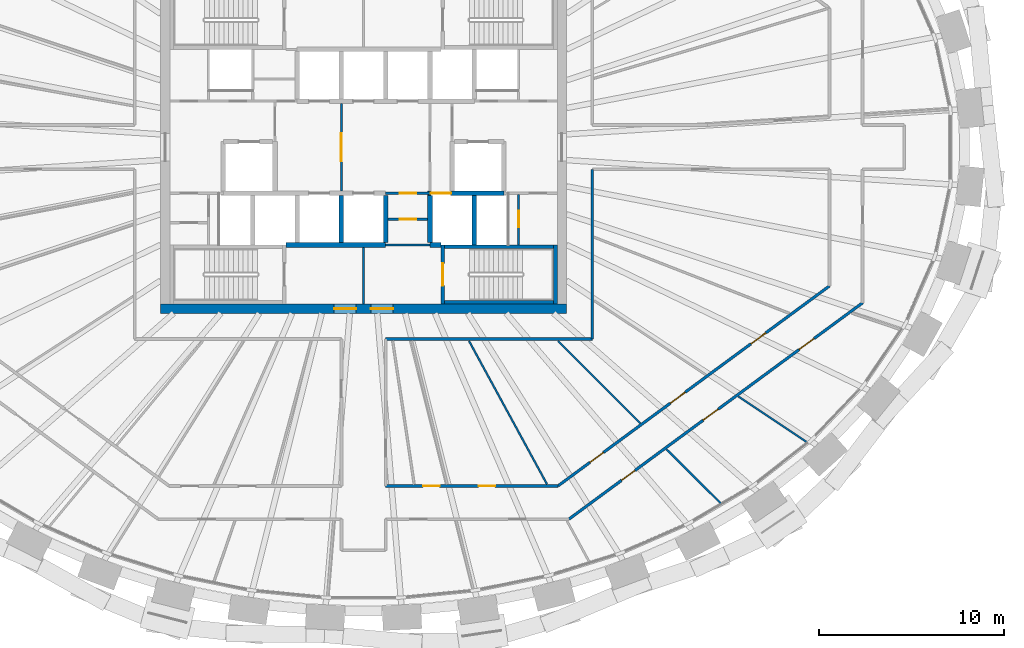
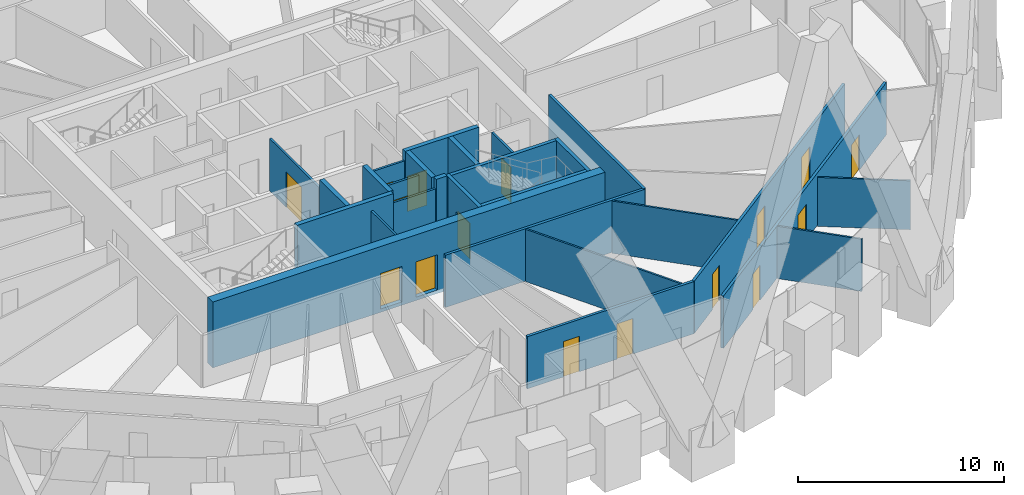
# One storey, part 9 of 14: 27 walls, 16 doors, 16 openings.
"""IFC4 building model written with IfcOpenShell, lengths in metres."""

from ifc_helpers import new_model, si_unit, direction, frame, frame_2d, origin, place, context, subcontext, project, spatial, rectangle, extrude, source, transform, mapped, material, layer, layer_set, type_object, element, fill, save


model = new_model("IFC4")

# Units and contexts
model_context = context("Model", 3, precision=1e-05, world=origin(), true_north=direction((0.0, 1.0)))
body_context = subcontext(model_context, "Body", "Model", "MODEL_VIEW")
ifc_project = project(units=[si_unit("LENGTHUNIT", "METRE"), si_unit("AREAUNIT", "SQUARE_METRE"), si_unit("VOLUMEUNIT", "CUBIC_METRE"), si_unit("PLANEANGLEUNIT", "RADIAN"), si_unit("MASSUNIT", "GRAM", prefix="KILO")], contexts=[model_context])

# Site, building, storey
site_placement = place(None, origin())
site = spatial("IfcSite", under=ifc_project, at=site_placement, CompositionType="ELEMENT")
building_placement = place(site_placement, origin())
building = spatial("IfcBuilding", under=site, at=building_placement, Name="Embergate Tower", CompositionType="ELEMENT")
storey_placement = place(building_placement, frame((0.0, 0.0, 257.800048828125)))
storey = spatial("IfcBuildingStorey", under=building, at=storey_placement, Name="L59", CompositionType="ELEMENT", Elevation=257.800048828125)

# Wall, openings, doors
ifc_material_1 = material(Name="Concrete C50", Category="concrete")
ifc_layer_1 = layer(ifc_material_1, 0.5)
ifc_layer_set_1 = layer_set([ifc_layer_1], Name="Concrete C50")
wall_type_1 = type_object("IfcWallType", Name="Core outer wall C50 500", PredefinedType="SHEAR", material=ifc_layer_set_1)
shared_shape_1 = source(origin(), body_context, "Body", "SweptSolid", [
    extrude(rectangle(XDim=22.0, YDim=0.5, at=frame_2d((11.0, 0.0))), origin(), (0.0, 0.0, 1.0), 3.89990234375),
])
wall_1_placement = place(storey_placement, frame((-11.0, -8.75, -0.199951171875), z_axis=(0.0, 0.0, 1.0), x_axis=(1.0, 0.0, 0.0)))
wall_1 = element("IfcWall", 1, at=wall_1_placement, inside=storey, type_object=wall_type_1, Name="CW-L59-S", PredefinedType="SHEAR", context=body_context, shape_type="MappedRepresentation", body=[
    mapped(shared_shape_1, transform((0.0, 0.0, 0.0))),
])
shared_shape_2 = source(origin(), body_context, "Body", "SweptSolid", [
    extrude(rectangle(XDim=1.199951171875, YDim=2.10009765625, at=frame_2d((0.60009765625, 1.050048828125))), frame((0.0, 0.260009765625, 0.0), z_axis=(0.0, -1.0, 0.0), x_axis=(1.0, 0.0, 0.0)), (0.0, 0.0, 1.0), 0.52001953125),
])
opening_1_placement = place(wall_1_placement, frame((9.39990234375, 0.0, 0.199951171875)))
opening_1 = element("IfcOpeningElement", 2, at=opening_1_placement, cuts=wall_1, Name="Opening IF-1", PredefinedType="OPENING", context=body_context, shape_type="MappedRepresentation", body=[
    mapped(shared_shape_2, transform((0.0, 0.0, 0.0))),
])
opening_2_placement = place(wall_1_placement, frame((11.39990234375, 0.0, 0.199951171875)))
opening_2 = element("IfcOpeningElement", 3, at=opening_2_placement, cuts=wall_1, Name="Opening IF-1", PredefinedType="OPENING", context=body_context, shape_type="MappedRepresentation", body=[
    mapped(shared_shape_2, transform((0.0, 0.0, 0.0))),
])
ifc_material_2 = material(Name="Escape fire door 1200")
door_type_1 = type_object("IfcDoorType", Name="Escape fire door 1200", OperationType="SINGLE_SWING_LEFT", PredefinedType="DOOR", material=ifc_material_2)
shared_shape_3 = source(origin(), body_context, "Body", "SweptSolid", [
    extrude(rectangle(XDim=1.199951171875, YDim=2.10009765625, at=frame_2d((0.60009765625, 1.050048828125))), frame((0.0, 0.02490234375, 0.0), z_axis=(0.0, -1.0, 0.0), x_axis=(1.0, 0.0, 0.0)), (0.0, 0.0, 1.0), 0.050048828125),
])
door_1_placement = place(opening_1_placement, origin())
door_1 = element("IfcDoor", 4, at=door_1_placement, inside=storey, type_object=door_type_1, Name="IF-1 door", OperationType="SINGLE_SWING_LEFT", OverallHeight=2.10009765625, OverallWidth=1.199951171875, PredefinedType="DOOR", context=body_context, shape_type="MappedRepresentation", body=[
    mapped(shared_shape_3, transform((0.0, 0.0, 0.0))),
])
fill(opening_1, door_1)
door_2_placement = place(opening_2_placement, origin())
door_2 = element("IfcDoor", 5, at=door_2_placement, inside=storey, type_object=door_type_1, Name="IF-1 door", OperationType="SINGLE_SWING_RIGHT", OverallHeight=2.10009765625, OverallWidth=1.199951171875, PredefinedType="DOOR", context=body_context, shape_type="MappedRepresentation", body=[
    mapped(shared_shape_3, transform((0.0, 0.0, 0.0))),
])
fill(opening_2, door_2)

# Walls
ifc_layer_2 = layer(ifc_material_1, 0.25)
ifc_layer_set_2 = layer_set([ifc_layer_2], Name="Concrete C50")
wall_type_2 = type_object("IfcWallType", Name="Hoistway wall reinforced concrete 250", PredefinedType="SHEAR", material=ifc_layer_set_2)
shared_shape_4 = source(origin(), body_context, "Body", "SweptSolid", [
    extrude(rectangle(XDim=2.675048828125, YDim=0.25, at=frame_2d((1.33740234375, 0.0))), origin(), (0.0, 0.0, 1.0), 3.699951171875),
])
wall_2_placement = place(storey_placement, frame((6.0, -5.300048828125, 0.0), z_axis=(0.0, 0.0, 1.0), x_axis=(0.0, 1.0, 0.0)))
element("IfcWall", 6, at=wall_2_placement, inside=storey, type_object=wall_type_2, Name="HW-1 wall", PredefinedType="SHEAR", context=body_context, shape_type="MappedRepresentation", body=[
    mapped(shared_shape_4, transform((0.0, 0.0, 0.0))),
])
ifc_layer_3 = layer(ifc_material_1, 0.199951171875)
ifc_layer_set_3 = layer_set([ifc_layer_3], Name="Concrete C50")
wall_type_3 = type_object("IfcWallType", Name="Stair enclosure wall reinforced concrete 250", PredefinedType="SHEAR", material=ifc_layer_set_3)
shared_shape_5 = source(origin(), body_context, "Body", "SweptSolid", [
    extrude(rectangle(XDim=6.300048828125, YDim=0.199951171875, at=frame_2d((3.14990234375, 0.0))), origin(), (0.0, 0.0, 1.0), 3.699951171875),
])
wall_3_placement = place(storey_placement, frame((4.199951171875, -5.39990234375, 0.0), z_axis=(0.0, 0.0, 1.0), x_axis=(1.0, 0.0, 0.0)))
element("IfcWall", 7, at=wall_3_placement, inside=storey, type_object=wall_type_3, Name="SE-1 wall", PredefinedType="SHEAR", context=body_context, shape_type="MappedRepresentation", body=[
    mapped(shared_shape_5, transform((0.0, 0.0, 0.0))),
])
shared_shape_6 = source(origin(), body_context, "Body", "SweptSolid", [
    extrude(rectangle(XDim=2.550048828125, YDim=0.25, at=frame_2d((1.27490234375, 0.0))), origin(), (0.0, 0.0, 1.0), 3.699951171875),
])
for number, where, z_axis, x_axis, name in (
    (8, (-1.199951171875, -5.175048828125, 0.0), (0.0, 0.0, 1.0), (0.0, 1.0, 0.0), "HW-1 wall"),
    (9, (1.199951171875, -5.175048828125, 0.0), (0.0, 0.0, 1.0), (0.0, 1.0, 0.0), "HW-1 wall"),
    (10, (3.60009765625, -2.625, 0.0), (0.0, 0.0, 1.0), (0.0, -1.0, 0.0), "HW-1 wall"),
):
    element("IfcWall", number, at=place(storey_placement, frame(where, z_axis=z_axis, x_axis=x_axis)), inside=storey, type_object=wall_type_2, Name=name, PredefinedType="SHEAR", context=body_context, shape_type="MappedRepresentation", body=[
        mapped(shared_shape_6, transform((0.0, 0.0, 0.0))),
    ])

# Wall, opening, door
shared_shape_7 = source(origin(), body_context, "Body", "SweptSolid", [
    extrude(rectangle(XDim=3.199951171875, YDim=0.199951171875, at=frame_2d((1.60009765625, 0.0))), origin(), (0.0, 0.0, 1.0), 3.699951171875),
])
wall_4_placement = place(storey_placement, frame((4.300048828125, -5.300048828125, 0.0), z_axis=(0.0, 0.0, 1.0), x_axis=(0.0, -1.0, 0.0)))
wall_4 = element("IfcWall", 11, at=wall_4_placement, inside=storey, type_object=wall_type_3, Name="SE-1 wall", PredefinedType="SHEAR", context=body_context, shape_type="MappedRepresentation", body=[
    mapped(shared_shape_7, transform((0.0, 0.0, 0.0))),
])
shared_shape_8 = source(origin(), body_context, "Body", "SweptSolid", [
    extrude(rectangle(XDim=1.199951171875, YDim=2.10009765625, at=frame_2d((0.60009765625, 1.050048828125))), frame((0.0, 0.10986328125, 0.0), z_axis=(0.0, -1.0, 0.0), x_axis=(1.0, 0.0, 0.0)), (0.0, 0.0, 1.0), 0.219970703125),
])
opening_3_placement = place(wall_4_placement, frame((1.0, 0.0, 0.0)))
opening_3 = element("IfcOpeningElement", 12, at=opening_3_placement, cuts=wall_4, Name="Opening IF-2", PredefinedType="OPENING", context=body_context, shape_type="MappedRepresentation", body=[
    mapped(shared_shape_8, transform((0.0, 0.0, 0.0))),
])
ifc_material_3 = material(Name="Stair enclosure door 1200")
door_type_2 = type_object("IfcDoorType", Name="Stair enclosure door 1200", OperationType="SINGLE_SWING_LEFT", PredefinedType="DOOR", material=ifc_material_3)
door_3_placement = place(opening_3_placement, origin())
door_3 = element("IfcDoor", 13, at=door_3_placement, inside=storey, type_object=door_type_2, Name="IF-2 door", OperationType="SINGLE_SWING_LEFT", OverallHeight=2.10009765625, OverallWidth=1.199951171875, PredefinedType="DOOR", context=body_context, shape_type="MappedRepresentation", body=[
    mapped(shared_shape_3, transform((0.0, 0.0, 0.0))),
])
fill(opening_3, door_3)

ifc_material_4 = material(Name="Core partition blockwork 120")
ifc_layer_4 = layer(ifc_material_4, 0.1201171875)
ifc_layer_set_4 = layer_set([ifc_layer_4], Name="Core partition blockwork 120")
wall_type_4 = type_object("IfcWallType", Name="Core partition blockwork 120", PredefinedType="PARTITIONING", material=ifc_layer_set_4)
shared_shape_9 = source(origin(), body_context, "Body", "SweptSolid", [
    extrude(rectangle(XDim=2.739990234375, YDim=0.1201171875, at=frame_2d((1.3701171875, 0.0))), origin(), (0.0, 0.0, 1.0), 3.099853515625),
])
wall_5_placement = place(storey_placement, frame((8.39990234375, -5.300048828125, 0.0), z_axis=(0.0, 0.0, 1.0), x_axis=(0.0, 1.0, 0.0)))
wall_5 = element("IfcWall", 14, at=wall_5_placement, inside=storey, type_object=wall_type_4, Name="IP-3 wall", PredefinedType="PARTITIONING", context=body_context, shape_type="MappedRepresentation", body=[
    mapped(shared_shape_9, transform((0.0, 0.0, 0.0))),
])
shared_shape_10 = source(origin(), body_context, "Body", "SweptSolid", [
    extrude(rectangle(XDim=0.89990234375, YDim=2.10009765625, at=frame_2d((0.449951171875, 1.050048828125))), frame((0.0, 0.070068359375, 0.0), z_axis=(0.0, -1.0, 0.0), x_axis=(1.0, 0.0, 0.0)), (0.0, 0.0, 1.0), 0.14013671875),
])
opening_4_placement = place(wall_5_placement, frame((0.949951171875, 0.0, 0.0)))
opening_4 = element("IfcOpeningElement", 15, at=opening_4_placement, cuts=wall_5, Name="Opening ID-1", PredefinedType="OPENING", context=body_context, shape_type="MappedRepresentation", body=[
    mapped(shared_shape_10, transform((0.0, 0.0, 0.0))),
])
ifc_material_5 = material(Name="Interior door 900")
door_type_3 = type_object("IfcDoorType", Name="Interior door 900", OperationType="SINGLE_SWING_LEFT", PredefinedType="DOOR", material=ifc_material_5)
shared_shape_11 = source(origin(), body_context, "Body", "SweptSolid", [
    extrude(rectangle(XDim=0.89990234375, YDim=2.10009765625, at=frame_2d((0.449951171875, 1.050048828125))), frame((0.0, 0.02490234375, 0.0), z_axis=(0.0, -1.0, 0.0), x_axis=(1.0, 0.0, 0.0)), (0.0, 0.0, 1.0), 0.050048828125),
])
door_4_placement = place(opening_4_placement, origin())
door_4 = element("IfcDoor", 16, at=door_4_placement, inside=storey, type_object=door_type_3, Name="ID-1 door", OperationType="SINGLE_SWING_LEFT", OverallHeight=2.10009765625, OverallWidth=0.89990234375, PredefinedType="DOOR", context=body_context, shape_type="MappedRepresentation", body=[
    mapped(shared_shape_11, transform((0.0, 0.0, 0.0))),
])
fill(opening_4, door_4)

shared_shape_12 = source(origin(), body_context, "Body", "SweptSolid", [
    extrude(rectangle(XDim=4.75, YDim=0.1201171875, at=frame_2d((2.375, 0.0))), origin(), (0.0, 0.0, 1.0), 3.099853515625),
])
wall_6_placement = place(storey_placement, frame((-1.199951171875, -2.375, 0.0), z_axis=(0.0, 0.0, 1.0), x_axis=(0.0, 1.0, 0.0)))
wall_6 = element("IfcWall", 17, at=wall_6_placement, inside=storey, type_object=wall_type_4, Name="IP-3 wall", PredefinedType="PARTITIONING", context=body_context, shape_type="MappedRepresentation", body=[
    mapped(shared_shape_12, transform((0.0, 0.0, 0.0))),
])
shared_shape_13 = source(origin(), body_context, "Body", "SweptSolid", [
    extrude(rectangle(XDim=1.5, YDim=2.10009765625, at=frame_2d((0.75, 1.050048828125))), frame((0.0, 0.070068359375, 0.0), z_axis=(0.0, -1.0, 0.0), x_axis=(1.0, 0.0, 0.0)), (0.0, 0.0, 1.0), 0.14013671875),
])
opening_5_placement = place(wall_6_placement, frame((1.625, 0.0, 0.0)))
opening_5 = element("IfcOpeningElement", 18, at=opening_5_placement, cuts=wall_6, Name="Opening IF-3", PredefinedType="OPENING", context=body_context, shape_type="MappedRepresentation", body=[
    mapped(shared_shape_13, transform((0.0, 0.0, 0.0))),
])
ifc_material_6 = material(Name="Lobby fire door pair 1500")
door_type_4 = type_object("IfcDoorType", Name="Lobby fire door pair 1500", OperationType="DOUBLE_DOOR_SINGLE_SWING", PredefinedType="DOOR", material=ifc_material_6)
shared_shape_14 = source(origin(), body_context, "Body", "SweptSolid", [
    extrude(rectangle(XDim=1.5, YDim=2.10009765625, at=frame_2d((0.75, 1.050048828125))), frame((0.0, 0.02490234375, 0.0), z_axis=(0.0, -1.0, 0.0), x_axis=(1.0, 0.0, 0.0)), (0.0, 0.0, 1.0), 0.050048828125),
])
door_5_placement = place(opening_5_placement, origin())
door_5 = element("IfcDoor", 19, at=door_5_placement, inside=storey, type_object=door_type_4, Name="IF-3 door", OperationType="DOUBLE_DOOR_SINGLE_SWING", OverallHeight=2.10009765625, OverallWidth=1.5, PredefinedType="DOOR", context=body_context, shape_type="MappedRepresentation", body=[
    mapped(shared_shape_14, transform((0.0, 0.0, 0.0))),
])
fill(opening_5, door_5)

# Walls
shared_shape_15 = source(origin(), body_context, "Body", "SweptSolid", [
    extrude(rectangle(XDim=0.599853515625, YDim=0.25, at=frame_2d((0.2998046875, 0.0))), origin(), (0.0, 0.0, 1.0), 3.699951171875),
])
wall_7_placement = place(storey_placement, frame((3.60009765625, -5.300048828125, 0.0), z_axis=(0.0, 0.0, 1.0), x_axis=(1.0, 0.0, 0.0)))
element("IfcWall", 20, at=wall_7_placement, inside=storey, type_object=wall_type_2, Name="HW-1 wall", PredefinedType="SHEAR", context=body_context, shape_type="MappedRepresentation", body=[
    mapped(shared_shape_15, transform((0.0, 0.0, 0.0))),
])
ifc_material_7 = material(Name="Corridor wall dry-lined 150")
ifc_layer_5 = layer(ifc_material_7, 0.14990234375)
ifc_layer_set_5 = layer_set([ifc_layer_5], Name="Corridor wall dry-lined 150")
wall_type_5 = type_object("IfcWallType", Name="Corridor wall dry-lined 150", PredefinedType="PARTITIONING", material=ifc_layer_set_5)
shared_shape_16 = source(origin(), body_context, "Body", "SweptSolid", [
    extrude(rectangle(XDim=9.199951171875, YDim=0.14990234375, at=frame_2d((4.60009765625, 0.0))), origin(), (0.0, 0.0, 1.0), 3.099853515625),
])
wall_8_placement = place(storey_placement, frame((12.39990234375, -10.39990234375, 0.0), z_axis=(0.0, 0.0, 1.0), x_axis=(0.0, 1.0, 0.0)))
element("IfcWall", 21, at=wall_8_placement, inside=storey, type_object=wall_type_5, Name="IP-2 wall", PredefinedType="PARTITIONING", context=body_context, shape_type="MappedRepresentation", body=[
    mapped(shared_shape_16, transform((0.0, 0.0, 0.0))),
])
ifc_material_8 = material(Name="Corridor wall dry-lined 150 wet")
ifc_layer_6 = layer(ifc_material_8, 0.14990234375)
ifc_layer_set_6 = layer_set([ifc_layer_6], Name="Corridor wall dry-lined 150 wet")
wall_type_6 = type_object("IfcWallType", Name="Corridor wall dry-lined 150 wet", PredefinedType="PLUMBINGWALL", material=ifc_layer_set_6)
shared_shape_17 = source(origin(), body_context, "Body", "SweptSolid", [
    extrude(rectangle(XDim=11.199951171875, YDim=0.14990234375, at=frame_2d((5.60009765625, 0.0))), origin(), (0.0, 0.0, 1.0), 3.099853515625),
])
wall_9_placement = place(storey_placement, frame((12.39990234375, -10.39990234375, 0.0), z_axis=(0.0, 0.0, 1.0), x_axis=(-1.0, 0.0, 0.0)))
element("IfcWall", 22, at=wall_9_placement, inside=storey, type_object=wall_type_6, Name="IP-2 wall", PredefinedType="PLUMBINGWALL", context=body_context, shape_type="MappedRepresentation", body=[
    mapped(shared_shape_17, transform((0.0, 0.0, 0.0))),
])
shared_shape_18 = source(origin(), body_context, "Body", "SweptSolid", [
    extrude(rectangle(XDim=5.39990234375, YDim=0.25, at=frame_2d((2.699951171875, 0.0))), origin(), (0.0, 0.0, 1.0), 3.699951171875),
])
wall_10_placement = place(storey_placement, frame((-4.199951171875, -5.300048828125, 0.0), z_axis=(0.0, 0.0, 1.0), x_axis=(1.0, 0.0, 0.0)))
element("IfcWall", 23, at=wall_10_placement, inside=storey, type_object=wall_type_2, Name="HW-1 wall", PredefinedType="SHEAR", context=body_context, shape_type="MappedRepresentation", body=[
    mapped(shared_shape_18, transform((0.0, 0.0, 0.0))),
])

# Wall, opening, door
shared_shape_19 = source(origin(), body_context, "Body", "SweptSolid", [
    extrude(rectangle(XDim=2.400146484375, YDim=0.1201171875, at=frame_2d((1.2001953125, 0.0))), origin(), (0.0, 0.0, 1.0), 3.099853515625),
])
wall_11_placement = place(storey_placement, frame((1.199951171875, -2.5, 0.0), z_axis=(0.0, 0.0, 1.0), x_axis=(1.0, 0.0, 0.0)))
wall_11 = element("IfcWall", 24, at=wall_11_placement, inside=storey, type_object=wall_type_4, Name="IP-3 wall", PredefinedType="PARTITIONING", context=body_context, shape_type="MappedRepresentation", body=[
    mapped(shared_shape_19, transform((0.0, 0.0, 0.0))),
])
opening_6_placement = place(wall_11_placement, frame((0.75, 0.0, 0.0)))
opening_6 = element("IfcOpeningElement", 25, at=opening_6_placement, cuts=wall_11, Name="Opening ID-1", PredefinedType="OPENING", context=body_context, shape_type="MappedRepresentation", body=[
    mapped(shared_shape_10, transform((0.0, 0.0, 0.0))),
])
door_6_placement = place(opening_6_placement, origin())
door_6 = element("IfcDoor", 26, at=door_6_placement, inside=storey, type_object=door_type_3, Name="ID-1 door", OperationType="SINGLE_SWING_RIGHT", OverallHeight=2.10009765625, OverallWidth=0.89990234375, PredefinedType="DOOR", context=body_context, shape_type="MappedRepresentation", body=[
    mapped(shared_shape_11, transform((0.0, 0.0, 0.0))),
])
fill(opening_6, door_6)

# Walls
wall_12_placement = place(storey_placement, frame((3.60009765625, -5.300048828125, 0.0), z_axis=(0.0, 0.0, 1.0), x_axis=(-1.0, 0.0, 0.0)))
element("IfcWall", 27, at=wall_12_placement, inside=storey, type_object=wall_type_4, Name="IP-3 wall", PredefinedType="PARTITIONING", context=body_context, shape_type="MappedRepresentation", body=[
    mapped(shared_shape_19, transform((0.0, 0.0, 0.0))),
])
shared_shape_20 = source(origin(), body_context, "Body", "SweptSolid", [
    extrude(rectangle(XDim=3.074951171875, YDim=0.1201171875, at=frame_2d((1.53759765625, 0.0))), origin(), (0.0, 0.0, 1.0), 3.099853515625),
])
wall_13_placement = place(storey_placement, frame((0.0, -8.5, 0.0), z_axis=(0.0, 0.0, 1.0), x_axis=(0.0, 1.0, 0.0)))
element("IfcWall", 28, at=wall_13_placement, inside=storey, type_object=wall_type_4, Name="IP-3 wall", PredefinedType="PARTITIONING", context=body_context, shape_type="MappedRepresentation", body=[
    mapped(shared_shape_20, transform((0.0, 0.0, 0.0))),
])

# Wall, opening, door
shared_shape_21 = source(origin(), body_context, "Body", "SweptSolid", [
    extrude(rectangle(XDim=2.150146484375, YDim=0.1201171875, at=frame_2d((1.0751953125, 0.0))), origin(), (0.0, 0.0, 1.0), 3.099853515625),
])
wall_14_placement = place(storey_placement, frame((3.47509765625, -3.89990234375, 0.0), z_axis=(0.0, 0.0, 1.0), x_axis=(-1.0, 0.0, 0.0)))
wall_14 = element("IfcWall", 29, at=wall_14_placement, inside=storey, type_object=wall_type_4, Name="IP-3 wall", PredefinedType="PARTITIONING", context=body_context, shape_type="MappedRepresentation", body=[
    mapped(shared_shape_21, transform((0.0, 0.0, 0.0))),
])
opening_7_placement = place(wall_14_placement, frame((0.625, 0.0, 0.0)))
opening_7 = element("IfcOpeningElement", 30, at=opening_7_placement, cuts=wall_14, Name="Opening ID-1", PredefinedType="OPENING", context=body_context, shape_type="MappedRepresentation", body=[
    mapped(shared_shape_10, transform((0.0, 0.0, 0.0))),
])
door_7_placement = place(opening_7_placement, origin())
door_7 = element("IfcDoor", 31, at=door_7_placement, inside=storey, type_object=door_type_3, Name="ID-1 door", OperationType="SINGLE_SWING_LEFT", OverallHeight=2.10009765625, OverallWidth=0.89990234375, PredefinedType="DOOR", context=body_context, shape_type="MappedRepresentation", body=[
    mapped(shared_shape_11, transform((0.0, 0.0, 0.0))),
])
fill(opening_7, door_7)

# Walls
shared_shape_22 = source(origin(), body_context, "Body", "SweptSolid", [
    extrude(rectangle(XDim=6.298095703125, YDim=0.199951171875, at=frame_2d((3.14892578125, 0.0))), origin(), (0.0, 0.0, 1.0), 3.699951171875),
])
wall_15_placement = place(storey_placement, frame((4.201904296875, -8.39990234375, 0.0), z_axis=(0.0, 0.0, 1.0), x_axis=(1.0, 0.0, 0.0)))
element("IfcWall", 32, at=wall_15_placement, inside=storey, type_object=wall_type_3, Name="SE-1 wall", PredefinedType="SHEAR", context=body_context, shape_type="MappedRepresentation", body=[
    mapped(shared_shape_22, transform((0.0, 0.0, 0.0))),
])
shared_shape_23 = source(origin(), body_context, "Body", "SweptSolid", [
    extrude(rectangle(XDim=3.197998046875, YDim=0.199951171875, at=frame_2d((1.59912109375, 0.0))), origin(), (0.0, 0.0, 1.0), 3.699951171875),
])
wall_16_placement = place(storey_placement, frame((10.39990234375, -8.5, 0.0), z_axis=(0.0, 0.0, 1.0), x_axis=(0.0, 1.0, 0.0)))
element("IfcWall", 33, at=wall_16_placement, inside=storey, type_object=wall_type_3, Name="SE-1 wall", PredefinedType="SHEAR", context=body_context, shape_type="MappedRepresentation", body=[
    mapped(shared_shape_23, transform((0.0, 0.0, 0.0))),
])

# Wall, openings, doors
shared_shape_24 = source(origin(), body_context, "Body", "SweptSolid", [
    extrude(rectangle(XDim=19.77294921875, YDim=0.14990234375, at=frame_2d((9.886474609375, 0.0))), origin(), (0.0, 0.0, 1.0), 3.099853515625),
])
wall_17_placement = place(storey_placement, frame((11.1259765625, -20.158935546875, 0.0), z_axis=(0.0, 0.0, 1.0), x_axis=(0.805138380898, 0.593086998344, 0.0)))
wall_17 = element("IfcWall", 34, at=wall_17_placement, inside=storey, type_object=wall_type_5, Name="IP-2 wall", PredefinedType="PARTITIONING", context=body_context, shape_type="MappedRepresentation", body=[
    mapped(shared_shape_24, transform((0.0, 0.0, 0.0))),
])
shared_shape_25 = source(origin(), body_context, "Body", "SweptSolid", [
    extrude(rectangle(XDim=0.89990234375, YDim=2.10009765625, at=frame_2d((0.449951171875, 1.050048828125))), frame((0.0, 0.0849609375, 0.0), z_axis=(0.0, -1.0, 0.0), x_axis=(1.0, 0.0, 0.0)), (0.0, 0.0, 1.0), 0.169921875),
])
opening_8_placement = place(wall_17_placement, frame((3.54833984375, 0.0, 0.0)))
opening_8 = element("IfcOpeningElement", 35, at=opening_8_placement, cuts=wall_17, Name="Opening IF-1c", PredefinedType="OPENING", context=body_context, shape_type="MappedRepresentation", body=[
    mapped(shared_shape_25, transform((0.0, 0.0, 0.0))),
])
shared_shape_26 = source(origin(), body_context, "Body", "SweptSolid", [
    extrude(rectangle(XDim=1.0, YDim=2.10009765625, at=frame_2d((0.5, 1.050048828125))), frame((0.0, 0.0849609375, 0.0), z_axis=(0.0, -1.0, 0.0), x_axis=(1.0, 0.0, 0.0)), (0.0, 0.0, 1.0), 0.169921875),
])
opening_9_placement = place(wall_17_placement, frame((9.04248046875, 0.0, 0.0)))
opening_9 = element("IfcOpeningElement", 36, at=opening_9_placement, cuts=wall_17, Name="Opening ID-2", PredefinedType="OPENING", context=body_context, shape_type="MappedRepresentation", body=[
    mapped(shared_shape_26, transform((0.0, 0.0, 0.0))),
])
opening_10_placement = place(wall_17_placement, frame((15.502197265625, 0.0, 0.0)))
opening_10 = element("IfcOpeningElement", 37, at=opening_10_placement, cuts=wall_17, Name="Opening ID-2", PredefinedType="OPENING", context=body_context, shape_type="MappedRepresentation", body=[
    mapped(shared_shape_26, transform((0.0, 0.0, 0.0))),
])
ifc_material_9 = material(Name="Escape fire door 900")
door_type_5 = type_object("IfcDoorType", Name="Escape fire door 900", OperationType="SINGLE_SWING_LEFT", PredefinedType="DOOR", material=ifc_material_9)
door_8_placement = place(opening_8_placement, origin())
door_8 = element("IfcDoor", 38, at=door_8_placement, inside=storey, type_object=door_type_5, Name="IF-1 door", OperationType="SINGLE_SWING_LEFT", OverallHeight=2.10009765625, OverallWidth=0.89990234375, PredefinedType="DOOR", context=body_context, shape_type="MappedRepresentation", body=[
    mapped(shared_shape_11, transform((0.0, 0.0, 0.0))),
])
fill(opening_8, door_8)
ifc_material_10 = material(Name="Interior door 1000")
door_type_6 = type_object("IfcDoorType", Name="Interior door 1000", OperationType="SINGLE_SWING_LEFT", PredefinedType="DOOR", material=ifc_material_10)
shared_shape_27 = source(origin(), body_context, "Body", "SweptSolid", [
    extrude(rectangle(XDim=1.0, YDim=2.10009765625, at=frame_2d((0.5, 1.050048828125))), frame((0.0, 0.02490234375, 0.0), z_axis=(0.0, -1.0, 0.0), x_axis=(1.0, 0.0, 0.0)), (0.0, 0.0, 1.0), 0.050048828125),
])
door_9_placement = place(opening_9_placement, origin())
door_9 = element("IfcDoor", 39, at=door_9_placement, inside=storey, type_object=door_type_6, Name="ID-2 door", OperationType="SINGLE_SWING_LEFT", OverallHeight=2.10009765625, OverallWidth=1.0, PredefinedType="DOOR", context=body_context, shape_type="MappedRepresentation", body=[
    mapped(shared_shape_27, transform((0.0, 0.0, 0.0))),
])
fill(opening_9, door_9)
door_10_placement = place(opening_10_placement, origin())
door_10 = element("IfcDoor", 40, at=door_10_placement, inside=storey, type_object=door_type_6, Name="ID-2 door", OperationType="SINGLE_SWING_RIGHT", OverallHeight=2.10009765625, OverallWidth=1.0, PredefinedType="DOOR", context=body_context, shape_type="MappedRepresentation", body=[
    mapped(shared_shape_27, transform((0.0, 0.0, 0.0))),
])
fill(opening_10, door_10)

shared_shape_28 = source(origin(), body_context, "Body", "SweptSolid", [
    extrude(rectangle(XDim=18.27197265625, YDim=0.14990234375, at=frame_2d((9.135986328125, 0.0))), origin(), (0.0, 0.0, 1.0), 3.099853515625),
])
wall_18_placement = place(storey_placement, frame((25.24609375, -7.52294921875, 0.0), z_axis=(0.0, 0.0, 1.0), x_axis=(-0.805176050135, -0.593035857507, 0.0)))
wall_18 = element("IfcWall", 41, at=wall_18_placement, inside=storey, type_object=wall_type_5, Name="IP-2 wall", PredefinedType="PARTITIONING", context=body_context, shape_type="MappedRepresentation", body=[
    mapped(shared_shape_28, transform((0.0, 0.0, 0.0))),
])
opening_11_placement = place(wall_18_placement, frame((15.213623046875, 0.0, 0.0)))
opening_11 = element("IfcOpeningElement", 42, at=opening_11_placement, cuts=wall_18, Name="Opening IF-1c", PredefinedType="OPENING", context=body_context, shape_type="MappedRepresentation", body=[
    mapped(shared_shape_25, transform((0.0, 0.0, 0.0))),
])
opening_12_placement = place(wall_18_placement, frame((9.703125, 0.0, 0.0)))
opening_12 = element("IfcOpeningElement", 43, at=opening_12_placement, cuts=wall_18, Name="Opening ID-2", PredefinedType="OPENING", context=body_context, shape_type="MappedRepresentation", body=[
    mapped(shared_shape_26, transform((0.0, 0.0, 0.0))),
])
opening_13_placement = place(wall_18_placement, frame((4.2841796875, 0.0, 0.0)))
opening_13 = element("IfcOpeningElement", 44, at=opening_13_placement, cuts=wall_18, Name="Opening ID-2", PredefinedType="OPENING", context=body_context, shape_type="MappedRepresentation", body=[
    mapped(shared_shape_26, transform((0.0, 0.0, 0.0))),
])
door_11_placement = place(opening_11_placement, origin())
door_11 = element("IfcDoor", 45, at=door_11_placement, inside=storey, type_object=door_type_5, Name="IF-1 door", OperationType="SINGLE_SWING_RIGHT", OverallHeight=2.10009765625, OverallWidth=0.89990234375, PredefinedType="DOOR", context=body_context, shape_type="MappedRepresentation", body=[
    mapped(shared_shape_11, transform((0.0, 0.0, 0.0))),
])
fill(opening_11, door_11)
door_12_placement = place(opening_12_placement, origin())
door_12 = element("IfcDoor", 46, at=door_12_placement, inside=storey, type_object=door_type_6, Name="ID-2 door", OperationType="SINGLE_SWING_RIGHT", OverallHeight=2.10009765625, OverallWidth=1.0, PredefinedType="DOOR", context=body_context, shape_type="MappedRepresentation", body=[
    mapped(shared_shape_27, transform((0.0, 0.0, 0.0))),
])
fill(opening_12, door_12)
door_13_placement = place(opening_13_placement, origin())
door_13 = element("IfcDoor", 47, at=door_13_placement, inside=storey, type_object=door_type_6, Name="ID-2 door", OperationType="SINGLE_SWING_LEFT", OverallHeight=2.10009765625, OverallWidth=1.0, PredefinedType="DOOR", context=body_context, shape_type="MappedRepresentation", body=[
    mapped(shared_shape_27, transform((0.0, 0.0, 0.0))),
])
fill(opening_13, door_13)

shared_shape_29 = source(origin(), body_context, "Body", "SweptSolid", [
    extrude(rectangle(XDim=9.333984375, YDim=0.14990234375, at=frame_2d((4.6669921875, 0.0))), origin(), (0.0, 0.0, 1.0), 3.099853515625),
])
wall_19_placement = place(storey_placement, frame((1.199951171875, -18.35888671875, 0.0), z_axis=(0.0, 0.0, 1.0), x_axis=(1.0, 0.0, 0.0)))
wall_19 = element("IfcWall", 48, at=wall_19_placement, inside=storey, type_object=wall_type_6, Name="IP-2 wall", PredefinedType="PLUMBINGWALL", context=body_context, shape_type="MappedRepresentation", body=[
    mapped(shared_shape_29, transform((0.0, 0.0, 0.0))),
])
opening_14_placement = place(wall_19_placement, frame((2.02294921875, 0.0, 0.0)))
opening_14 = element("IfcOpeningElement", 49, at=opening_14_placement, cuts=wall_19, Name="Opening IF-1c", PredefinedType="OPENING", context=body_context, shape_type="MappedRepresentation", body=[
    mapped(shared_shape_25, transform((0.0, 0.0, 0.0))),
])
opening_15_placement = place(wall_19_placement, frame((5.035888671875, 0.0, 0.0)))
opening_15 = element("IfcOpeningElement", 50, at=opening_15_placement, cuts=wall_19, Name="Opening IF-1c", PredefinedType="OPENING", context=body_context, shape_type="MappedRepresentation", body=[
    mapped(shared_shape_25, transform((0.0, 0.0, 0.0))),
])
door_14_placement = place(opening_14_placement, origin())
door_14 = element("IfcDoor", 51, at=door_14_placement, inside=storey, type_object=door_type_5, Name="IF-1 door", OperationType="SINGLE_SWING_LEFT", OverallHeight=2.10009765625, OverallWidth=0.89990234375, PredefinedType="DOOR", context=body_context, shape_type="MappedRepresentation", body=[
    mapped(shared_shape_11, transform((0.0, 0.0, 0.0))),
])
fill(opening_14, door_14)
door_15_placement = place(opening_15_placement, origin())
door_15 = element("IfcDoor", 52, at=door_15_placement, inside=storey, type_object=door_type_5, Name="IF-1 door", OperationType="SINGLE_SWING_RIGHT", OverallHeight=2.10009765625, OverallWidth=0.89990234375, PredefinedType="DOOR", context=body_context, shape_type="MappedRepresentation", body=[
    mapped(shared_shape_11, transform((0.0, 0.0, 0.0))),
])
fill(opening_15, door_15)

# Walls
ifc_material_11 = material(Name="Partition dry-lined 100")
ifc_layer_7 = layer(ifc_material_11, 0.10009765625)
ifc_layer_set_7 = layer_set([ifc_layer_7], Name="Partition dry-lined 100")
wall_type_7 = type_object("IfcWallType", Name="Partition dry-lined 100", PredefinedType="PARTITIONING", material=ifc_layer_set_7)
shared_shape_30 = source(origin(), body_context, "Body", "SweptSolid", [
    extrude(rectangle(XDim=4.260986328125, YDim=0.10009765625, at=frame_2d((2.13037109375, 0.0))), origin(), (0.0, 0.0, 1.0), 3.099853515625),
])
wall_20_placement = place(storey_placement, frame((16.4130859375, -16.366943359375, 0.0), z_axis=(0.0, 0.0, 1.0), x_axis=(0.708022943972, -0.706189429834, 0.0)))
element("IfcWall", 53, at=wall_20_placement, inside=storey, type_object=wall_type_7, Name="IP-1 wall", PredefinedType="PARTITIONING", context=body_context, shape_type="MappedRepresentation", body=[
    mapped(shared_shape_30, transform((0.0, 0.0, 0.0))),
])
shared_shape_31 = source(origin(), body_context, "Body", "SweptSolid", [
    extrude(rectangle(XDim=4.532958984375, YDim=0.10009765625, at=frame_2d((2.2666015625, 0.0))), origin(), (0.0, 0.0, 1.0), 2.89990234375),
])
wall_21_placement = place(storey_placement, frame((20.30908203125, -13.509033203125, 0.0), z_axis=(0.0, 0.0, 1.0), x_axis=(0.832555396717, -0.553941794232, 0.0)))
element("IfcWall", 54, at=wall_21_placement, inside=storey, type_object=wall_type_7, Name="IP-1 wall", PredefinedType="PARTITIONING", context=body_context, shape_type="MappedRepresentation", body=[
    mapped(shared_shape_31, transform((0.0, 0.0, 0.0))),
])
shared_shape_32 = source(origin(), body_context, "Body", "SweptSolid", [
    extrude(rectangle(XDim=8.83642578125, YDim=0.10009765625, at=frame_2d((4.418212890625, 0.0))), origin(), (0.0, 0.0, 1.0), 3.099853515625),
])
wall_22_placement = place(storey_placement, frame((5.715087890625, -10.4990234375, 0.0), z_axis=(0.0, 0.0, 1.0), x_axis=(0.478118301495, -0.878295445608, 0.0)))
element("IfcWall", 55, at=wall_22_placement, inside=storey, type_object=wall_type_7, Name="IP-1 wall", PredefinedType="PARTITIONING", context=body_context, shape_type="MappedRepresentation", body=[
    mapped(shared_shape_32, transform((0.0, 0.0, 0.0))),
])
shared_shape_33 = source(origin(), body_context, "Body", "SweptSolid", [
    extrude(rectangle(XDim=6.307373046875, YDim=0.10009765625, at=frame_2d((3.15380859375, 0.0))), origin(), (0.0, 0.0, 1.0), 3.099853515625),
])
wall_23_placement = place(storey_placement, frame((10.5390625, -10.510009765625, 0.0), z_axis=(0.0, 0.0, 1.0), x_axis=(0.70803514775, -0.706177194159, 0.0)))
element("IfcWall", 56, at=wall_23_placement, inside=storey, type_object=wall_type_7, Name="IP-1 wall", PredefinedType="PARTITIONING", context=body_context, shape_type="MappedRepresentation", body=[
    mapped(shared_shape_33, transform((0.0, 0.0, 0.0))),
])

# Wall, opening, door
shared_shape_34 = source(origin(), body_context, "Body", "SweptSolid", [
    extrude(rectangle(XDim=4.125, YDim=0.25, at=frame_2d((2.0625, 0.0))), origin(), (0.0, 0.0, 1.0), 3.699951171875),
])
wall_24_placement = place(storey_placement, frame((7.60009765625, -2.5, 0.0), z_axis=(0.0, 0.0, 1.0), x_axis=(-1.0, 0.0, 0.0)))
wall_24 = element("IfcWall", 57, at=wall_24_placement, inside=storey, type_object=wall_type_2, Name="HW-1 wall", PredefinedType="SHEAR", context=body_context, shape_type="MappedRepresentation", body=[
    mapped(shared_shape_34, transform((0.0, 0.0, 0.0))),
])
shared_shape_35 = source(origin(), body_context, "Body", "SweptSolid", [
    extrude(rectangle(XDim=1.10009765625, YDim=2.10009765625, at=frame_2d((0.550048828125, 1.050048828125))), frame((0.0, 0.135009765625, 0.0), z_axis=(0.0, -1.0, 0.0), x_axis=(1.0, 0.0, 0.0)), (0.0, 0.0, 1.0), 0.27001953125),
])
opening_16_placement = place(wall_24_placement, frame((2.85009765625, 0.0, 0.0)))
opening_16 = element("IfcOpeningElement", 58, at=opening_16_placement, cuts=wall_24, Name="Opening LD", PredefinedType="OPENING", context=body_context, shape_type="MappedRepresentation", body=[
    mapped(shared_shape_35, transform((0.0, 0.0, 0.0))),
])
ifc_material_12 = material(Name="Landing door sliding 1100")
door_type_7 = type_object("IfcDoorType", Name="Landing door sliding 1100", OperationType="SLIDING_TO_LEFT", PredefinedType="DOOR", material=ifc_material_12)
shared_shape_36 = source(origin(), body_context, "Body", "SweptSolid", [
    extrude(rectangle(XDim=1.10009765625, YDim=2.10009765625, at=frame_2d((0.550048828125, 1.050048828125))), frame((0.0, 0.02490234375, 0.0), z_axis=(0.0, -1.0, 0.0), x_axis=(1.0, 0.0, 0.0)), (0.0, 0.0, 1.0), 0.050048828125),
])
door_16_placement = place(opening_16_placement, origin())
door_16 = element("IfcDoor", 59, at=door_16_placement, inside=storey, type_object=door_type_7, Name="LD door", OperationType="SLIDING_TO_LEFT", OverallHeight=2.10009765625, OverallWidth=1.10009765625, PredefinedType="DOOR", context=body_context, shape_type="MappedRepresentation", body=[
    mapped(shared_shape_36, transform((0.0, 0.0, 0.0))),
])
fill(opening_16, door_16)

save(model, "model.ifc")
